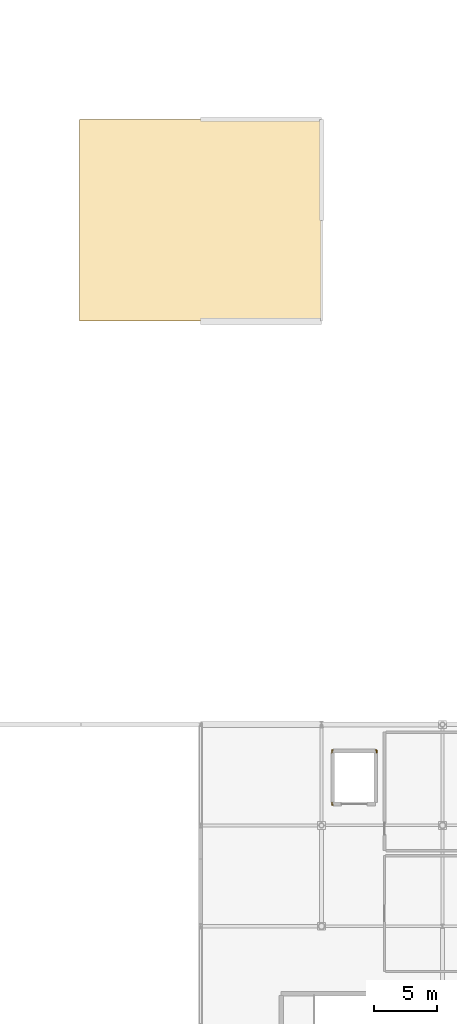
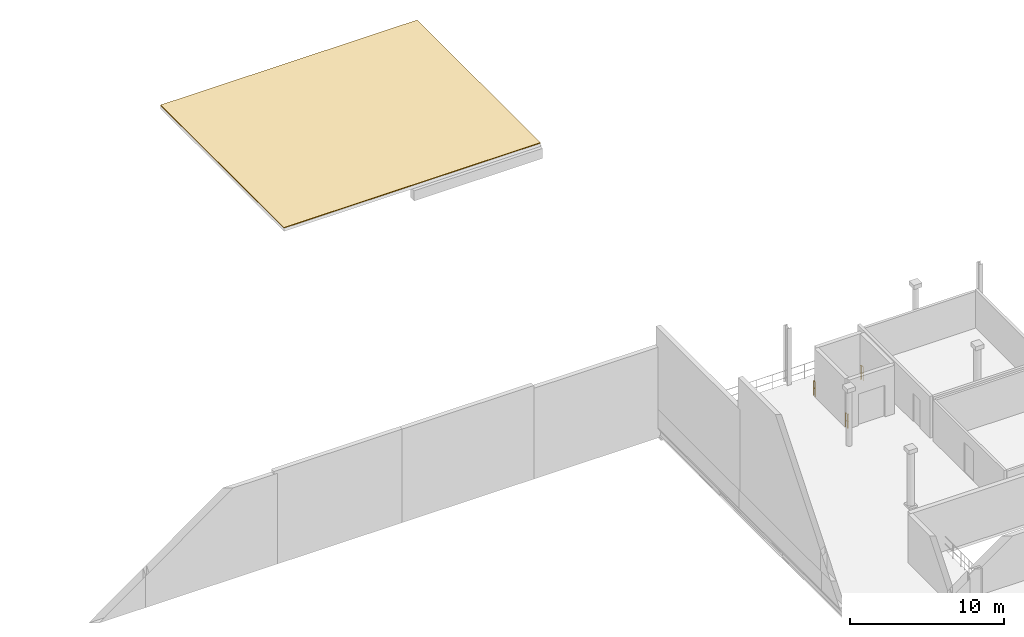
# One storey, part 59 of 59: 3 railings, 1 covering.
"""IFC4 building model written with IfcOpenShell, lengths in metres."""

from ifc_helpers import new_model, si_unit, direction, frame, origin, origin_2d, place, context, subcontext, project, spatial, polyline, circle, outline, extrude, material, layer, layer_set, type_object, element, save


model = new_model("IFC4")

# Units and contexts
model_context = context("Model", 3, precision=1e-05, world=origin(), true_north=direction((0.0, 1.0)))
body_context = subcontext(model_context, "Body", "Model", "MODEL_VIEW")
ifc_project = project(units=[si_unit("LENGTHUNIT", "METRE"), si_unit("AREAUNIT", "SQUARE_METRE"), si_unit("VOLUMEUNIT", "CUBIC_METRE"), si_unit("PLANEANGLEUNIT", "RADIAN"), si_unit("MASSUNIT", "GRAM", prefix="KILO")], contexts=[model_context])

# Site, building, storey
site_placement = place(None, origin())
site = spatial("IfcSite", under=ifc_project, at=site_placement, CompositionType="ELEMENT")
building_placement = place(site_placement, origin())
building = spatial("IfcBuilding", under=site, at=building_placement, Name="Danafjord Basin Convention Centre", CompositionType="ELEMENT")
storey_placement = place(building_placement, frame((0.0, 0.0, 15.89990234375)))
storey = spatial("IfcBuildingStorey", under=building, at=storey_placement, Name="L03", CompositionType="ELEMENT", Elevation=15.89990234375)

# Covering
ifc_material_1 = material(Name="EPDM insulated roof membrane")
ifc_layer = layer(ifc_material_1, 0.06005859375)
ifc_layer_set = layer_set([ifc_layer], Name="EPDM insulated roof membrane")
covering_type = type_object("IfcCoveringType", Name="COV-ROOF-EPDM", PredefinedType="ROOFING", material=ifc_layer_set)
covering_placement = place(storey_placement, frame((0.0, 0.0, -0.419921875)))
element("IfcCovering", 1, at=covering_placement, inside=storey, type_object=covering_type, Name="L03 roof membrane RF-FLAT-V2E", PredefinedType="ROOFING", context=body_context, shape_type="SweptSolid", body=[
    extrude(outline(polyline([(182.39990234375, 112.0), (182.39990234375, 128.0), (201.60009765625, 128.0), (201.60009765625, 112.0), (182.39990234375, 112.0)])), origin(), (0.0, 0.0, 1.0), 0.06005859375),
])

# Railings
ifc_material_2 = material(Name="Laminated structural glass and stainless steel", Category="steel")
railing_type_1 = type_object("IfcRailingType", Name="RL-BAL-GLS", PredefinedType="BALUSTRADE", material=ifc_material_2)
railing_1_placement = place(storey_placement, frame((202.5, 77.97998046875, 0.0)))
element("IfcRailing", 2, at=railing_1_placement, inside=storey, type_object=railing_type_1, Name="L03 safety guard balustrade 226", PredefinedType="BALUSTRADE", context=body_context, shape_type="SweptSolid", body=[
    extrude(circle(Radius=0.02392578125, at=origin_2d()), frame((0.0, 0.0, 1.1259765625), z_axis=(-1.0, 0.0, 0.0), x_axis=(0.0, -1.0, 0.0)), (0.0, 0.0, 1.0), 0.080078125),
    extrude(circle(Radius=0.02392578125, at=origin_2d()), frame((0.0, 0.0, 0.55078125), z_axis=(-1.0, 0.0, 0.0), x_axis=(0.0, -1.0, 0.0)), (0.0, 0.0, 1.0), 0.080078125),
    extrude(circle(Radius=0.02392578125, at=origin_2d()), frame((-0.080078125, 0.0, 1.1259765625), z_axis=(0.0, -1.0, 0.0), x_axis=(1.0, 0.0, 0.0)), (0.0, 0.0, 1.0), 0.215087890625),
    extrude(circle(Radius=0.02392578125, at=origin_2d()), frame((-0.080078125, 0.0, 0.55078125), z_axis=(0.0, -1.0, 0.0), x_axis=(1.0, 0.0, 0.0)), (0.0, 0.0, 1.0), 0.215087890625),
    extrude(circle(Radius=0.02099609375, at=origin_2d()), origin(), (0.0, 0.0, 1.0), 1.099853515625),
    extrude(circle(Radius=0.02099609375, at=origin_2d()), frame((-0.080078125, 0.0, 0.0)), (0.0, 0.0, 1.0), 1.099853515625),
    extrude(circle(Radius=0.02099609375, at=origin_2d()), frame((-0.080078125, -0.215087890625, 0.0)), (0.0, 0.0, 1.0), 1.099853515625),
])
ifc_material_3 = material(Name="Galvanised and powder-coated steel S355", Category="steel")
railing_type_2 = type_object("IfcRailingType", Name="RL-BAL-STL", PredefinedType="BALUSTRADE", material=ifc_material_3)
railing_2_placement = place(storey_placement, frame((205.97998046875, 77.764892578125, 0.0)))
element("IfcRailing", 3, at=railing_2_placement, inside=storey, type_object=railing_type_2, Name="L03 safety guard balustrade 225", PredefinedType="BALUSTRADE", context=body_context, shape_type="SweptSolid", body=[
    extrude(circle(Radius=0.02392578125, at=origin_2d()), frame((0.0, 0.0, 1.1259765625), z_axis=(0.0, 1.0, 0.0), x_axis=(-1.0, 0.0, 0.0)), (0.0, 0.0, 1.0), 0.215087890625),
    extrude(circle(Radius=0.02392578125, at=origin_2d()), frame((0.0, 0.0, 0.55078125), z_axis=(0.0, 1.0, 0.0), x_axis=(-1.0, 0.0, 0.0)), (0.0, 0.0, 1.0), 0.215087890625),
    extrude(circle(Radius=0.02392578125, at=origin_2d()), frame((0.0, 0.215087890625, 1.1259765625), z_axis=(-1.0, 0.0, 0.0), x_axis=(0.0, -1.0, 0.0)), (0.0, 0.0, 1.0), 0.080078125),
    extrude(circle(Radius=0.02392578125, at=origin_2d()), frame((0.0, 0.215087890625, 0.55078125), z_axis=(-1.0, 0.0, 0.0), x_axis=(0.0, -1.0, 0.0)), (0.0, 0.0, 1.0), 0.080078125),
    extrude(circle(Radius=0.02099609375, at=origin_2d()), origin(), (0.0, 0.0, 1.0), 1.099853515625),
    extrude(circle(Radius=0.02099609375, at=origin_2d()), frame((0.0, 0.215087890625, 0.0)), (0.0, 0.0, 1.0), 1.099853515625),
    extrude(circle(Radius=0.02099609375, at=origin_2d()), frame((-0.080078125, 0.215087890625, 0.0)), (0.0, 0.0, 1.0), 1.099853515625),
])
railing_3_placement = place(storey_placement, frame((202.419921875, 73.8349609375, 0.0)))
element("IfcRailing", 4, at=railing_3_placement, inside=storey, type_object=railing_type_2, Name="L03 safety guard balustrade 227", PredefinedType="BALUSTRADE", context=body_context, shape_type="SweptSolid", body=[
    extrude(circle(Radius=0.02392578125, at=origin_2d()), frame((0.0, 0.0, 1.1259765625), z_axis=(0.0, -1.0, 0.0), x_axis=(1.0, 0.0, 0.0)), (0.0, 0.0, 1.0), 0.21484375),
    extrude(circle(Radius=0.02392578125, at=origin_2d()), frame((0.0, 0.0, 0.55078125), z_axis=(0.0, -1.0, 0.0), x_axis=(1.0, 0.0, 0.0)), (0.0, 0.0, 1.0), 0.21484375),
    extrude(circle(Radius=0.02392578125, at=origin_2d()), frame((0.0, -0.21484375, 1.1259765625), z_axis=(1.0, 0.0, 0.0), x_axis=(0.0, 1.0, 0.0)), (0.0, 0.0, 1.0), 0.080078125),
    extrude(circle(Radius=0.02392578125, at=origin_2d()), frame((0.0, -0.21484375, 0.55078125), z_axis=(1.0, 0.0, 0.0), x_axis=(0.0, 1.0, 0.0)), (0.0, 0.0, 1.0), 0.080078125),
    extrude(circle(Radius=0.02099609375, at=origin_2d()), origin(), (0.0, 0.0, 1.0), 1.099853515625),
    extrude(circle(Radius=0.02099609375, at=origin_2d()), frame((0.0, -0.21484375, 0.0)), (0.0, 0.0, 1.0), 1.099853515625),
    extrude(circle(Radius=0.02099609375, at=origin_2d()), frame((0.080078125, -0.21484375, 0.0)), (0.0, 0.0, 1.0), 1.099853515625),
])

save(model, "model.ifc")
